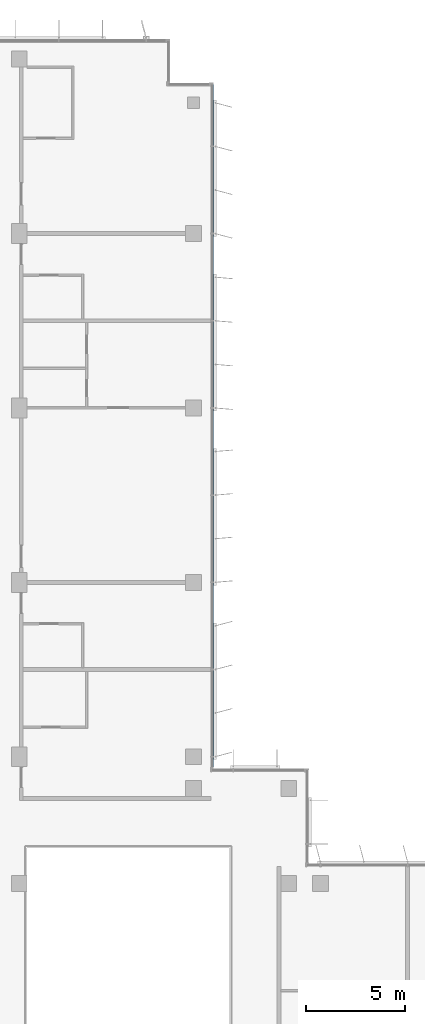
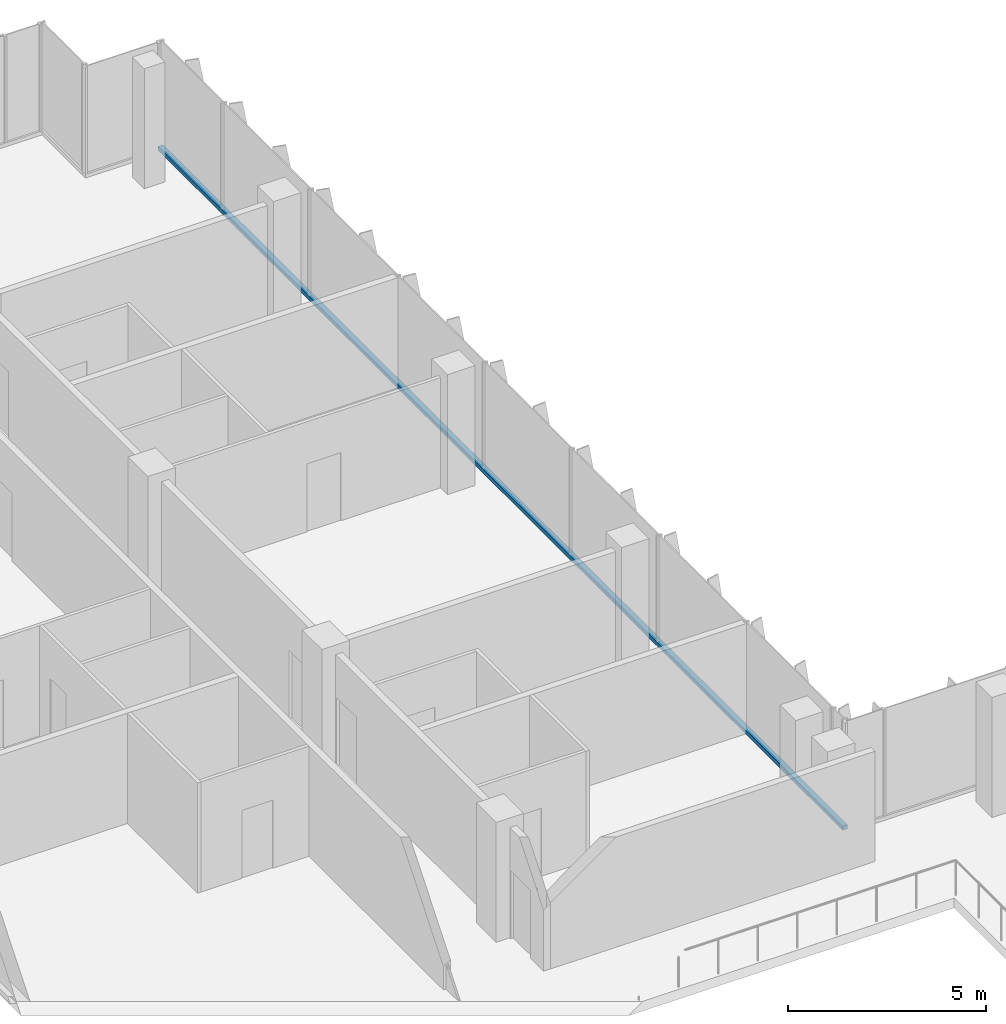
# One storey, part 5 of 15: 1 member, 1 element without a shape of its own.
"""IFC4 building model written with IfcOpenShell, lengths in metres."""

from ifc_helpers import new_model, si_unit, direction, frame, origin, origin_2d, place, context, subcontext, project, spatial, rectangle, extrude, material, material_profile, profile_set, type_object, element, aggregate, save


model = new_model("IFC4")

# Units and contexts
model_context = context("Model", 3, precision=1e-05, world=origin(), true_north=direction((0.0, 1.0)))
body_context = subcontext(model_context, "Body", "Model", "MODEL_VIEW")
ifc_project = project(units=[si_unit("LENGTHUNIT", "METRE"), si_unit("AREAUNIT", "SQUARE_METRE"), si_unit("VOLUMEUNIT", "CUBIC_METRE"), si_unit("PLANEANGLEUNIT", "RADIAN"), si_unit("MASSUNIT", "GRAM", prefix="KILO")], contexts=[model_context])

# Site, building, storey
site_placement = place(None, origin())
site = spatial("IfcSite", under=ifc_project, at=site_placement, CompositionType="ELEMENT")
building_placement = place(site_placement, origin())
building = spatial("IfcBuilding", under=site, at=building_placement, Name="Kemantara Hotel Tower", CompositionType="ELEMENT")
storey_placement = place(building_placement, frame((0.0, 0.0, 237.60009765625)))
storey = spatial("IfcBuildingStorey", under=building, at=storey_placement, Name="L59", CompositionType="ELEMENT", Elevation=237.60009765625)

# Curtain wall, member
ifc_material_1 = material(Name="Low-E tinted double insulated glass 36 mm", Category="glass")
curtain_wall_type = type_object("IfcCurtainWallType", Name="TOWER CURTAIN WALL, FRONT FACES", PredefinedType="USERDEFINED", material=ifc_material_1)
curtain_wall_placement = place(storey_placement, origin())
curtain_wall = element("IfcCurtainWall", 1, at=curtain_wall_placement, inside=storey, type_object=curtain_wall_type, Name="CW4 L59 T4-R15-1", ObjectType="TOWER CURTAIN WALL, FRONT FACES", PredefinedType="USERDEFINED")
ifc_material_2 = material(Name="Aluminium 6063-T6 bronze anodised", Category="aluminium")
ifc_material_profile = material_profile(ifc_material_2, rectangle(XDim=0.14990234375, YDim=0.1201171875, at=origin_2d()), Name="TOWER CURTAIN WALL, FRONT FACES TRANSOM")
ifc_profile_set = profile_set([ifc_material_profile], Name="Aluminium 6063-T6 bronze anodised")
member_type = type_object("IfcMemberType", Name="TOWER CURTAIN WALL, FRONT FACES TRANSOM", PredefinedType="USERDEFINED", material=ifc_profile_set)
member_placement = place(storey_placement, frame((21.925048828125, 26.800048828125, 0.059814453125), z_axis=(0.0, 1.0, 0.0), x_axis=(-1.0, 0.0, 0.0)))
member = element("IfcMember", 2, at=member_placement, type_object=member_type, Name="CW4 sill transom T4-R15-1", ObjectType="TRANSOM", PredefinedType="USERDEFINED", context=body_context, shape_type="SweptSolid", body=[
    extrude(rectangle(XDim=0.14990234375, YDim=0.1201171875, at=origin_2d()), origin(), (0.0, 0.0, 1.0), 34.599853515625),
])
aggregate(curtain_wall, [member])

save(model, "model.ifc")
